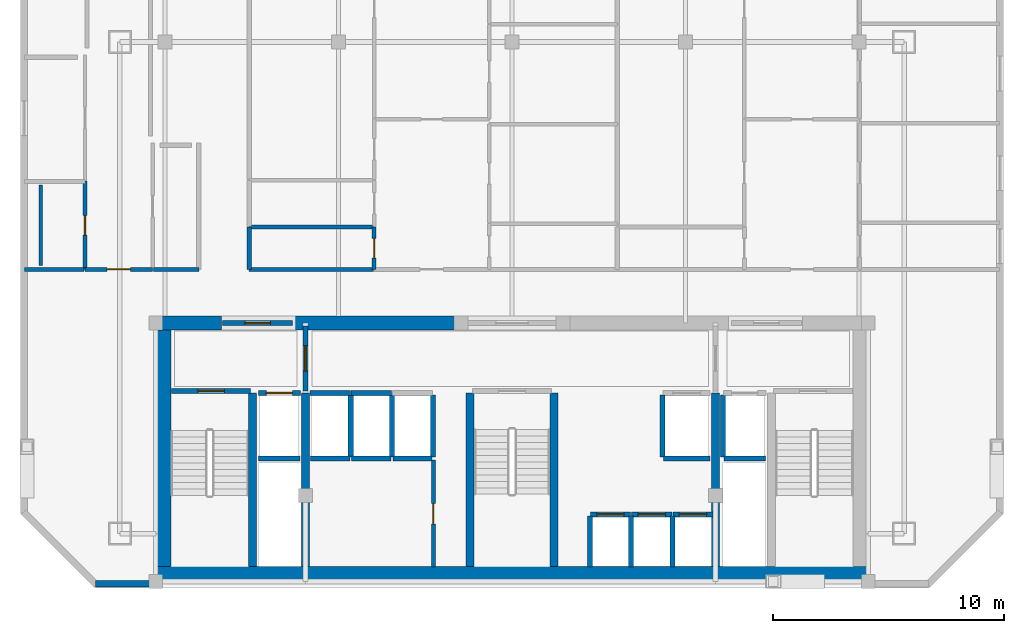
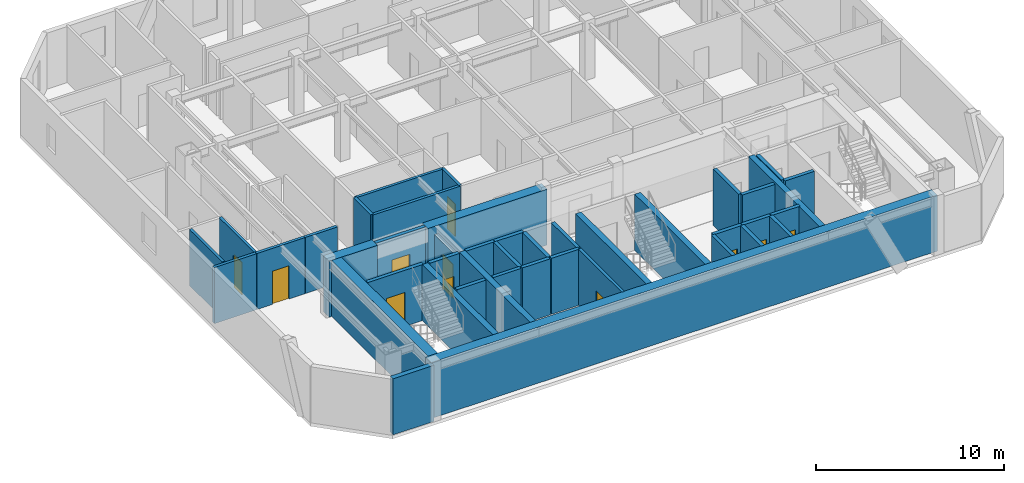
# One storey, part 2 of 7: 43 walls, 11 doors, 11 openings.
"""IFC4 building model written with IfcOpenShell, lengths in metres."""

from ifc_helpers import new_model, si_unit, direction, frame, frame_2d, origin, place, context, subcontext, project, spatial, rectangle, extrude, material, layer, layer_set, type_object, element, fill, save


model = new_model("IFC4")

# Units and contexts
model_context = context("Model", 3, precision=1e-05, world=origin(), true_north=direction((0.0, 1.0)))
body_context = subcontext(model_context, "Body", "Model", "MODEL_VIEW")
ifc_project = project(units=[si_unit("LENGTHUNIT", "METRE"), si_unit("AREAUNIT", "SQUARE_METRE"), si_unit("VOLUMEUNIT", "CUBIC_METRE"), si_unit("PLANEANGLEUNIT", "RADIAN"), si_unit("MASSUNIT", "GRAM", prefix="KILO")], contexts=[model_context])

# Site, building, storey
site_placement = place(None, origin())
site = spatial("IfcSite", under=ifc_project, at=site_placement, CompositionType="ELEMENT")
building_placement = place(site_placement, origin())
building = spatial("IfcBuilding", under=site, at=building_placement, Name="Ventersveld Concourse Tower", CompositionType="ELEMENT")
storey_placement = place(building_placement, frame((0.0, 0.0, 223.39990234375)))
storey = spatial("IfcBuildingStorey", under=building, at=storey_placement, Name="L55", CompositionType="ELEMENT", Elevation=223.39990234375)

# Walls
ifc_material_1 = material(Name="Concrete C50/60", Category="concrete")
ifc_layer_1 = layer(ifc_material_1, 0.35009765625)
ifc_layer_set_1 = layer_set([ifc_layer_1], Name="Concrete C50/60")
wall_type_1 = type_object("IfcWallType", Name="WL-CORE-350U", PredefinedType="SHEAR", material=ifc_layer_set_1)
for number, where, z_axis, x_axis, name in (
    (1, (17.5400390625, 0.919921875, 0.0), (0.0, 0.0, 1.0), (0.0, 1.0, 0.0), "L55 Core Internal Shear Web W-ST1-E"),
    (2, (19.820068359375, 0.919921875, 0.0), (0.0, 0.0, 1.0), (0.0, 1.0, 0.0), "L55 Core Internal Shear Web W-FF1-E"),
    (3, (26.93994140625, 0.919921875, 0.0), (0.0, 0.0, 1.0), (0.0, 1.0, 0.0), "L55 Core Internal Shear Web W-ST3-W"),
    (4, (30.56005859375, 0.919921875, 0.0), (0.0, 0.0, 1.0), (0.0, 1.0, 0.0), "L55 Core Internal Shear Web W-ST3-E"),
    (5, (37.550048828125, 0.919921875, 0.0), (0.0, 0.0, 1.0), (0.0, 1.0, 0.0), "L55 Core Internal Shear Web W-SVL-W"),
):
    element("IfcWall", number, at=place(storey_placement, frame(where, z_axis=z_axis, x_axis=x_axis)), inside=storey, type_object=wall_type_1, Name=name, PredefinedType="SHEAR", context=body_context, shape_type="SweptSolid", body=[
        extrude(rectangle(XDim=7.5, YDim=0.35009765625, at=frame_2d((3.75, 0.0))), origin(), (0.0, 0.0, 1.0), 3.630126953125),
    ])
ifc_layer_2 = layer(ifc_material_1, 0.60009765625)
ifc_layer_set_2 = layer_set([ifc_layer_2], Name="Concrete C50/60")
wall_type_2 = type_object("IfcWallType", Name="WL-CORE-600", PredefinedType="SHEAR", material=ifc_layer_set_2)
wall_1_placement = place(storey_placement, frame((13.25, 0.6201171875, 0.0), z_axis=(0.0, 0.0, 1.0), x_axis=(1.0, 0.0, 0.0)))
element("IfcWall", 6, at=wall_1_placement, inside=storey, type_object=wall_type_2, Name="L55 Rear Core South Shear Wall", PredefinedType="SHEAR", context=body_context, shape_type="SweptSolid", body=[
    extrude(rectangle(XDim=31.0, YDim=0.60009765625, at=frame_2d((15.5, 0.0))), origin(), (0.0, 0.0, 1.0), 3.630126953125),
])
wall_2_placement = place(storey_placement, frame((13.699951171875, 0.919921875, 0.0), z_axis=(0.0, 0.0, 1.0), x_axis=(0.0, 1.0, 0.0)))
element("IfcWall", 7, at=wall_2_placement, inside=storey, type_object=wall_type_2, Name="L55 Rear Core West Shear Wall", PredefinedType="SHEAR", context=body_context, shape_type="SweptSolid", body=[
    extrude(rectangle(XDim=10.530029296875, YDim=0.60009765625, at=frame_2d((5.26513671875, 0.0))), origin(), (0.0, 0.0, 1.0), 3.630126953125),
])
wall_3_placement = place(storey_placement, frame((13.25, 11.449951171875, 0.0), z_axis=(0.0, 0.0, 1.0), x_axis=(1.0, 0.0, 0.0)))
element("IfcWall", 8, at=wall_3_placement, inside=storey, type_object=wall_type_2, Name="L55 Rear Core North Shear Wall NW", PredefinedType="SHEAR", context=body_context, shape_type="SweptSolid", body=[
    extrude(rectangle(XDim=2.949951171875, YDim=0.60009765625, at=frame_2d((1.47509765625, 0.0))), origin(), (0.0, 0.0, 1.0), 3.630126953125),
])
wall_4_placement = place(storey_placement, frame((19.300048828125, 11.449951171875, 0.0), z_axis=(0.0, 0.0, 1.0), x_axis=(1.0, 0.0, 0.0)))
element("IfcWall", 9, at=wall_4_placement, inside=storey, type_object=wall_type_2, Name="L55 Rear Core North Shear Wall NML", PredefinedType="SHEAR", context=body_context, shape_type="SweptSolid", body=[
    extrude(rectangle(XDim=7.300048828125, YDim=0.60009765625, at=frame_2d((3.64990234375, 0.0))), origin(), (0.0, 0.0, 1.0), 3.630126953125),
])

# Wall, opening, door
ifc_material_2 = material(Name="Fire-rated autoclaved aerated masonry blockwork", Category="masonry")
ifc_layer_3 = layer(ifc_material_2, 0.179931640625)
ifc_layer_set_3 = layer_set([ifc_layer_3], Name="Fire-rated autoclaved aerated masonry blockwork")
wall_type_3 = type_object("IfcWallType", Name="WL-CORR-180", PredefinedType="PARTITIONING", material=ifc_layer_set_3)
wall_5_placement = place(storey_placement, frame((25.35009765625, 0.89990234375, 0.0), z_axis=(0.0, 0.0, 1.0), x_axis=(0.0, 1.0, 0.0)))
wall_5 = element("IfcWall", 10, at=wall_5_placement, inside=storey, type_object=wall_type_3, Name="L55 Core Passage Wall SP-L55-RECB1A", PredefinedType="PARTITIONING", context=body_context, shape_type="SweptSolid", body=[
    extrude(rectangle(XDim=4.6201171875, YDim=0.179931640625, at=frame_2d((2.31005859375, 0.0))), origin(), (0.0, 0.0, 1.0), 3.630126953125),
])
opening_1_placement = place(wall_5_placement, frame((1.8701171875, 0.0, 0.0)))
opening_1 = element("IfcOpeningElement", 11, at=opening_1_placement, cuts=wall_5, Name="Opening FD5", PredefinedType="OPENING", context=body_context, shape_type="SweptSolid", body=[
    extrude(rectangle(XDim=0.8798828125, YDim=2.050048828125, at=frame_2d((0.43994140625, 1.02490234375))), frame((0.0, 0.10009765625, 0.0), z_axis=(0.0, -1.0, 0.0), x_axis=(1.0, 0.0, 0.0)), (0.0, 0.0, 1.0), 0.199951171875),
])
ifc_material_3 = material(Name="Galvanised painted steel", Category="steel")
door_type_1 = type_object("IfcDoorType", Name="DR-RISER-088", OperationType="NOTDEFINED", PredefinedType="DOOR", material=ifc_material_3)
door_1_placement = place(opening_1_placement, origin())
door_1 = element("IfcDoor", 12, at=door_1_placement, inside=storey, type_object=door_type_1, Name="L55 Core Room Door L55 Reclaimed Core Meeting Pod (CD-L55-2662)", OperationType="SINGLE_SWING_LEFT", OverallHeight=2.050048828125, OverallWidth=0.8798828125, PredefinedType="DOOR", context=body_context, shape_type="SweptSolid", body=[
    extrude(rectangle(XDim=0.8798828125, YDim=2.050048828125, at=frame_2d((0.43994140625, 1.02490234375))), frame((0.0, 0.02490234375, 0.0), z_axis=(0.0, -1.0, 0.0), x_axis=(1.0, 0.0, 0.0)), (0.0, 0.0, 1.0), 0.050048828125),
])
fill(opening_1, door_1)

wall_6_placement = place(storey_placement, frame((10.284912109375, 13.77001953125, 0.0), z_axis=(0.0, 0.0, 1.0), x_axis=(1.0, 0.0, 0.0)))
wall_6 = element("IfcWall", 13, at=wall_6_placement, inside=storey, type_object=wall_type_3, Name="L55 Interior Partition SP-L55-COR-SP-L55-55NW-LIV", PredefinedType="PARTITIONING", context=body_context, shape_type="SweptSolid", body=[
    extrude(rectangle(XDim=2.93017578125, YDim=0.179931640625, at=frame_2d((1.465087890625, 0.0))), origin(), (0.0, 0.0, 1.0), 3.630126953125),
])
opening_2_placement = place(wall_6_placement, frame((0.965087890625, 0.0, 0.0)))
opening_2 = element("IfcOpeningElement", 14, at=opening_2_placement, cuts=wall_6, Name="Opening FD3", PredefinedType="OPENING", context=body_context, shape_type="SweptSolid", body=[
    extrude(rectangle(XDim=1.0, YDim=2.14990234375, at=frame_2d((0.5, 1.074951171875))), frame((0.0, 0.10009765625, 0.0), z_axis=(0.0, -1.0, 0.0), x_axis=(1.0, 0.0, 0.0)), (0.0, 0.0, 1.0), 0.199951171875),
])
ifc_material_4 = material(Name="Solid-core hardwood veneer timber", Category="wood")
door_type_2 = type_object("IfcDoorType", Name="DR-FLAT-100", OperationType="NOTDEFINED", PredefinedType="DOOR", material=ifc_material_4)
door_2_placement = place(opening_2_placement, origin())
door_2 = element("IfcDoor", 15, at=door_2_placement, inside=storey, type_object=door_type_2, Name="L55 Interior Door SP-L55-COR to SP-L55-55NW-LIV (FD-L55-2663)", OperationType="SINGLE_SWING_LEFT", OverallHeight=2.14990234375, OverallWidth=1.0, PredefinedType="DOOR", context=body_context, shape_type="SweptSolid", body=[
    extrude(rectangle(XDim=1.0, YDim=2.14990234375, at=frame_2d((0.5, 1.074951171875))), frame((0.0, 0.02490234375, 0.0), z_axis=(0.0, -1.0, 0.0), x_axis=(1.0, 0.0, 0.0)), (0.0, 0.0, 1.0), 0.050048828125),
])
fill(opening_2, door_2)

# Walls
wall_7_placement = place(storey_placement, frame((7.672607421875, 13.77001953125, 0.0), z_axis=(0.0, 0.0, 1.0), x_axis=(1.0, 0.0, 0.0)))
element("IfcWall", 16, at=wall_7_placement, inside=storey, type_object=wall_type_3, Name="L55 Interior Partition SP-L55-COR-SP-L55-55NW-BATH", PredefinedType="PARTITIONING", context=body_context, shape_type="SweptSolid", body=[
    extrude(rectangle(XDim=2.582275390625, YDim=0.179931640625, at=frame_2d((1.291015625, 0.0))), origin(), (0.0, 0.0, 1.0), 3.630126953125),
])
wall_8_placement = place(storey_placement, frame((13.2451171875, 13.77001953125, 0.0), z_axis=(0.0, 0.0, 1.0), x_axis=(1.0, 0.0, 0.0)))
element("IfcWall", 17, at=wall_8_placement, inside=storey, type_object=wall_type_3, Name="L55 Interior Partition SP-L55-COR-SP-L55-55NW-KIT", PredefinedType="PARTITIONING", context=body_context, shape_type="SweptSolid", body=[
    extrude(rectangle(XDim=1.969970703125, YDim=0.179931640625, at=frame_2d((0.98486328125, 0.0))), origin(), (0.0, 0.0, 1.0), 3.630126953125),
])
wall_9_placement = place(storey_placement, frame((17.385009765625, 13.77001953125, 0.0), z_axis=(0.0, 0.0, 1.0), x_axis=(1.0, 0.0, 0.0)))
element("IfcWall", 18, at=wall_9_placement, inside=storey, type_object=wall_type_3, Name="L55 Interior Partition SP-L55-COR-SP-L55-55N1-BATH", PredefinedType="PARTITIONING", context=body_context, shape_type="SweptSolid", body=[
    extrude(rectangle(XDim=5.36962890625, YDim=0.179931640625, at=frame_2d((2.684814453125, 0.0))), origin(), (0.0, 0.0, 1.0), 3.630126953125),
])
wall_10_placement = place(storey_placement, frame((17.389892578125, 13.764892578125, 0.0), z_axis=(0.0, 0.0, 1.0), x_axis=(0.0, 1.0, 0.0)))
element("IfcWall", 19, at=wall_10_placement, inside=storey, type_object=wall_type_3, Name="L55 Interior Partition SP-L55-COR-SP-L55-55N1-BATH", PredefinedType="PARTITIONING", context=body_context, shape_type="SweptSolid", body=[
    extrude(rectangle(XDim=1.840087890625, YDim=0.179931640625, at=frame_2d((0.919921875, 0.0))), origin(), (0.0, 0.0, 1.0), 3.630126953125),
])
ifc_layer_4 = layer(ifc_material_2, 0.219970703125)
ifc_layer_set_4 = layer_set([ifc_layer_4], Name="Fire-rated autoclaved aerated masonry blockwork")
wall_type_4 = type_object("IfcWallType", Name="WL-HOIST-220", PredefinedType="SOLIDWALL", material=ifc_layer_set_4)
wall_11_placement = place(storey_placement, frame((17.800048828125, 5.590087890625, 0.0), z_axis=(0.0, 0.0, 1.0), x_axis=(1.0, 0.0, 0.0)))
element("IfcWall", 20, at=wall_11_placement, inside=storey, type_object=wall_type_4, Name="L55 Lift Hoistway Back Wall FFL-01", PredefinedType="SOLIDWALL", context=body_context, shape_type="SweptSolid", body=[
    extrude(rectangle(XDim=1.780029296875, YDim=0.219970703125, at=frame_2d((0.89013671875, 0.0))), origin(), (0.0, 0.0, 1.0), 3.630126953125),
])

# Wall, opening, door
wall_12_placement = place(storey_placement, frame((17.780029296875, 8.429931640625, 0.0), z_axis=(0.0, 0.0, 1.0), x_axis=(1.0, 0.0, 0.0)))
wall_12 = element("IfcWall", 21, at=wall_12_placement, inside=storey, type_object=wall_type_4, Name="L55 Lift Hoistway Front Wall FFL-01", PredefinedType="SOLIDWALL", context=body_context, shape_type="SweptSolid", body=[
    extrude(rectangle(XDim=1.820068359375, YDim=0.219970703125, at=frame_2d((0.91015625, 0.0))), origin(), (0.0, 0.0, 1.0), 3.630126953125),
])
opening_3_placement = place(wall_12_placement, frame((0.35009765625, 0.0, 0.0)))
opening_3 = element("IfcOpeningElement", 22, at=opening_3_placement, cuts=wall_12, Name="Opening LD1", PredefinedType="OPENING", context=body_context, shape_type="SweptSolid", body=[
    extrude(rectangle(XDim=1.1201171875, YDim=2.25, at=frame_2d((0.56005859375, 1.125))), frame((0.0, 0.1201171875, 0.0), z_axis=(0.0, -1.0, 0.0), x_axis=(1.0, 0.0, 0.0)), (0.0, 0.0, 1.0), 0.239990234375),
])
ifc_material_5 = material(Name="Brushed stainless steel 316", Category="steel")
door_type_3 = type_object("IfcDoorType", Name="LD-FF-112", OperationType="SLIDING_TO_LEFT", PredefinedType="DOOR", material=ifc_material_5)
door_3_placement = place(opening_3_placement, origin())
door_3 = element("IfcDoor", 23, at=door_3_placement, inside=storey, type_object=door_type_3, Name="L55 Lift landing door FFL-01 (LD-L55-FFL-01)", OperationType="SLIDING_TO_LEFT", OverallHeight=2.25, OverallWidth=1.1201171875, PredefinedType="DOOR", context=body_context, shape_type="SweptSolid", body=[
    extrude(rectangle(XDim=1.1201171875, YDim=2.25, at=frame_2d((0.56005859375, 1.125))), frame((0.0, 0.02490234375, 0.0), z_axis=(0.0, -1.0, 0.0), x_axis=(1.0, 0.0, 0.0)), (0.0, 0.0, 1.0), 0.050048828125),
])
fill(opening_3, door_3)

# Walls
wall_13_placement = place(storey_placement, frame((37.919921875, 5.590087890625, 0.0), z_axis=(0.0, 0.0, 1.0), x_axis=(1.0, 0.0, 0.0)))
element("IfcWall", 24, at=wall_13_placement, inside=storey, type_object=wall_type_4, Name="L55 Lift Hoistway Back Wall FFL-02", PredefinedType="SOLIDWALL", context=body_context, shape_type="SweptSolid", body=[
    extrude(rectangle(XDim=1.780029296875, YDim=0.219970703125, at=frame_2d((0.89013671875, 0.0))), origin(), (0.0, 0.0, 1.0), 3.630126953125),
])
wall_14_placement = place(storey_placement, frame((37.8798828125, 5.64990234375, 0.0), z_axis=(0.0, 0.0, 1.0), x_axis=(0.0, 1.0, 0.0)))
element("IfcWall", 25, at=wall_14_placement, inside=storey, type_object=wall_type_4, Name="L55 Lift Hoistway Side Wall FFL-02W", PredefinedType="SOLIDWALL", context=body_context, shape_type="SweptSolid", body=[
    extrude(rectangle(XDim=2.7001953125, YDim=0.219970703125, at=frame_2d((1.35009765625, 0.0))), origin(), (0.0, 0.0, 1.0), 3.630126953125),
])
wall_15_placement = place(storey_placement, frame((35.300048828125, 5.590087890625, 0.0), z_axis=(0.0, 0.0, 1.0), x_axis=(1.0, 0.0, 0.0)))
element("IfcWall", 26, at=wall_15_placement, inside=storey, type_object=wall_type_4, Name="L55 Lift Hoistway Back Wall SVL-01", PredefinedType="SOLIDWALL", context=body_context, shape_type="SweptSolid", body=[
    extrude(rectangle(XDim=2.0, YDim=0.219970703125, at=frame_2d((1.0, 0.0))), origin(), (0.0, 0.0, 1.0), 3.630126953125),
])
wall_16_placement = place(storey_placement, frame((35.260009765625, 5.64990234375, 0.0), z_axis=(0.0, 0.0, 1.0), x_axis=(0.0, 1.0, 0.0)))
element("IfcWall", 27, at=wall_16_placement, inside=storey, type_object=wall_type_4, Name="L55 Lift Hoistway Side Wall SVL-01W", PredefinedType="SOLIDWALL", context=body_context, shape_type="SweptSolid", body=[
    extrude(rectangle(XDim=2.7001953125, YDim=0.219970703125, at=frame_2d((1.35009765625, 0.0))), origin(), (0.0, 0.0, 1.0), 3.630126953125),
])
for number, where, z_axis, x_axis, name in (
    (28, (32.1201171875, 0.89990234375, 0.0), (0.0, 0.0, 1.0), (0.0, 1.0, 0.0), "L55 Lift Hoistway Side Wall PM-01W"),
    (29, (33.89990234375, 0.89990234375, 0.0), (0.0, 0.0, 1.0), (0.0, 1.0, 0.0), "L55 Lift Hoistway Side Wall PM-01E"),
):
    element("IfcWall", number, at=place(storey_placement, frame(where, z_axis=z_axis, x_axis=x_axis)), inside=storey, type_object=wall_type_4, Name=name, PredefinedType="SOLIDWALL", context=body_context, shape_type="SweptSolid", body=[
        extrude(rectangle(XDim=2.2001953125, YDim=0.219970703125, at=frame_2d((1.10009765625, 0.0))), origin(), (0.0, 0.0, 1.0), 3.630126953125),
    ])

# Wall, opening, door
wall_17_placement = place(storey_placement, frame((32.139892578125, 3.179931640625, 0.0), z_axis=(0.0, 0.0, 1.0), x_axis=(1.0, 0.0, 0.0)))
wall_17 = element("IfcWall", 30, at=wall_17_placement, inside=storey, type_object=wall_type_4, Name="L55 Lift Hoistway Front Wall PM-01", PredefinedType="SOLIDWALL", context=body_context, shape_type="SweptSolid", body=[
    extrude(rectangle(XDim=1.739990234375, YDim=0.219970703125, at=frame_2d((0.8701171875, 0.0))), origin(), (0.0, 0.0, 1.0), 3.630126953125),
])
opening_4_placement = place(wall_17_placement, frame((0.280029296875, 0.0, 0.0)))
opening_4 = element("IfcOpeningElement", 31, at=opening_4_placement, cuts=wall_17, Name="Opening LD2", PredefinedType="OPENING", context=body_context, shape_type="SweptSolid", body=[
    extrude(rectangle(XDim=1.179931640625, YDim=2.199951171875, at=frame_2d((0.58984375, 1.10009765625))), frame((0.0, 0.1201171875, 0.0), z_axis=(0.0, -1.0, 0.0), x_axis=(1.0, 0.0, 0.0)), (0.0, 0.0, 1.0), 0.239990234375),
])
door_type_4 = type_object("IfcDoorType", Name="LD-PAX-118", OperationType="SLIDING_TO_LEFT", PredefinedType="DOOR", material=ifc_material_5)
door_4_placement = place(opening_4_placement, origin())
door_4 = element("IfcDoor", 32, at=door_4_placement, inside=storey, type_object=door_type_4, Name="L55 Lift landing door PM-01 (LD-L55-PM-01)", OperationType="SLIDING_TO_RIGHT", OverallHeight=2.199951171875, OverallWidth=1.179931640625, PredefinedType="DOOR", context=body_context, shape_type="SweptSolid", body=[
    extrude(rectangle(XDim=1.179931640625, YDim=2.199951171875, at=frame_2d((0.58984375, 1.10009765625))), frame((0.0, 0.02490234375, 0.0), z_axis=(0.0, -1.0, 0.0), x_axis=(1.0, 0.0, 0.0)), (0.0, 0.0, 1.0), 0.050048828125),
])
fill(opening_4, door_4)

# Wall
wall_18_placement = place(storey_placement, frame((35.679931640625, 0.89990234375, 0.0), z_axis=(0.0, 0.0, 1.0), x_axis=(0.0, 1.0, 0.0)))
element("IfcWall", 33, at=wall_18_placement, inside=storey, type_object=wall_type_4, Name="L55 Lift Hoistway Side Wall PM-02E", PredefinedType="SOLIDWALL", context=body_context, shape_type="SweptSolid", body=[
    extrude(rectangle(XDim=2.2001953125, YDim=0.219970703125, at=frame_2d((1.10009765625, 0.0))), origin(), (0.0, 0.0, 1.0), 3.630126953125),
])

# Wall, opening, door
wall_19_placement = place(storey_placement, frame((33.919921875, 3.179931640625, 0.0), z_axis=(0.0, 0.0, 1.0), x_axis=(1.0, 0.0, 0.0)))
wall_19 = element("IfcWall", 34, at=wall_19_placement, inside=storey, type_object=wall_type_4, Name="L55 Lift Hoistway Front Wall PM-02", PredefinedType="SOLIDWALL", context=body_context, shape_type="SweptSolid", body=[
    extrude(rectangle(XDim=1.739990234375, YDim=0.219970703125, at=frame_2d((0.8701171875, 0.0))), origin(), (0.0, 0.0, 1.0), 3.630126953125),
])
opening_5_placement = place(wall_19_placement, frame((0.280029296875, 0.0, 0.0)))
opening_5 = element("IfcOpeningElement", 35, at=opening_5_placement, cuts=wall_19, Name="Opening LD2", PredefinedType="OPENING", context=body_context, shape_type="SweptSolid", body=[
    extrude(rectangle(XDim=1.179931640625, YDim=2.199951171875, at=frame_2d((0.58984375, 1.10009765625))), frame((0.0, 0.1201171875, 0.0), z_axis=(0.0, -1.0, 0.0), x_axis=(1.0, 0.0, 0.0)), (0.0, 0.0, 1.0), 0.239990234375),
])
door_5_placement = place(opening_5_placement, origin())
door_5 = element("IfcDoor", 36, at=door_5_placement, inside=storey, type_object=door_type_4, Name="L55 Lift landing door PM-02 (LD-L55-PM-02)", OperationType="SLIDING_TO_LEFT", OverallHeight=2.199951171875, OverallWidth=1.179931640625, PredefinedType="DOOR", context=body_context, shape_type="SweptSolid", body=[
    extrude(rectangle(XDim=1.179931640625, YDim=2.199951171875, at=frame_2d((0.58984375, 1.10009765625))), frame((0.0, 0.02490234375, 0.0), z_axis=(0.0, -1.0, 0.0), x_axis=(1.0, 0.0, 0.0)), (0.0, 0.0, 1.0), 0.050048828125),
])
fill(opening_5, door_5)

wall_20_placement = place(storey_placement, frame((35.699951171875, 3.179931640625, 0.0), z_axis=(0.0, 0.0, 1.0), x_axis=(1.0, 0.0, 0.0)))
wall_20 = element("IfcWall", 37, at=wall_20_placement, inside=storey, type_object=wall_type_4, Name="L55 Lift Hoistway Front Wall PM-03", PredefinedType="SOLIDWALL", context=body_context, shape_type="SweptSolid", body=[
    extrude(rectangle(XDim=1.739990234375, YDim=0.219970703125, at=frame_2d((0.8701171875, 0.0))), origin(), (0.0, 0.0, 1.0), 3.630126953125),
])
opening_6_placement = place(wall_20_placement, frame((0.280029296875, 0.0, 0.0)))
opening_6 = element("IfcOpeningElement", 38, at=opening_6_placement, cuts=wall_20, Name="Opening LD2", PredefinedType="OPENING", context=body_context, shape_type="SweptSolid", body=[
    extrude(rectangle(XDim=1.179931640625, YDim=2.199951171875, at=frame_2d((0.58984375, 1.10009765625))), frame((0.0, 0.1201171875, 0.0), z_axis=(0.0, -1.0, 0.0), x_axis=(1.0, 0.0, 0.0)), (0.0, 0.0, 1.0), 0.239990234375),
])
door_6_placement = place(opening_6_placement, origin())
door_6 = element("IfcDoor", 39, at=door_6_placement, inside=storey, type_object=door_type_4, Name="L55 Lift landing door PM-03 (LD-L55-PM-03)", OperationType="SLIDING_TO_RIGHT", OverallHeight=2.199951171875, OverallWidth=1.179931640625, PredefinedType="DOOR", context=body_context, shape_type="SweptSolid", body=[
    extrude(rectangle(XDim=1.179931640625, YDim=2.199951171875, at=frame_2d((0.58984375, 1.10009765625))), frame((0.0, 0.02490234375, 0.0), z_axis=(0.0, -1.0, 0.0), x_axis=(1.0, 0.0, 0.0)), (0.0, 0.0, 1.0), 0.050048828125),
])
fill(opening_6, door_6)

# Walls
wall_21_placement = place(storey_placement, frame((20.0400390625, 5.590087890625, 0.0), z_axis=(0.0, 0.0, 1.0), x_axis=(1.0, 0.0, 0.0)))
element("IfcWall", 40, at=wall_21_placement, inside=storey, type_object=wall_type_4, Name="L55 Lift Hoistway Back Wall PH-01", PredefinedType="SOLIDWALL", context=body_context, shape_type="SweptSolid", body=[
    extrude(rectangle(XDim=1.699951171875, YDim=0.219970703125, at=frame_2d((0.85009765625, 0.0))), origin(), (0.0, 0.0, 1.0), 3.630126953125),
])
wall_22_placement = place(storey_placement, frame((21.780029296875, 5.64990234375, 0.0), z_axis=(0.0, 0.0, 1.0), x_axis=(0.0, 1.0, 0.0)))
element("IfcWall", 41, at=wall_22_placement, inside=storey, type_object=wall_type_4, Name="L55 Lift Hoistway Side Wall PH-01E", PredefinedType="SOLIDWALL", context=body_context, shape_type="SweptSolid", body=[
    extrude(rectangle(XDim=2.7001953125, YDim=0.219970703125, at=frame_2d((1.35009765625, 0.0))), origin(), (0.0, 0.0, 1.0), 3.630126953125),
])
wall_23_placement = place(storey_placement, frame((20.02001953125, 8.429931640625, 0.0), z_axis=(0.0, 0.0, 1.0), x_axis=(1.0, 0.0, 0.0)))
element("IfcWall", 42, at=wall_23_placement, inside=storey, type_object=wall_type_4, Name="L55 Lift Hoistway Front Wall PH-01", PredefinedType="SOLIDWALL", context=body_context, shape_type="SweptSolid", body=[
    extrude(rectangle(XDim=1.739990234375, YDim=0.219970703125, at=frame_2d((0.8701171875, 0.0))), origin(), (0.0, 0.0, 1.0), 3.630126953125),
])
wall_24_placement = place(storey_placement, frame((21.820068359375, 5.590087890625, 0.0), z_axis=(0.0, 0.0, 1.0), x_axis=(1.0, 0.0, 0.0)))
element("IfcWall", 43, at=wall_24_placement, inside=storey, type_object=wall_type_4, Name="L55 Lift Hoistway Back Wall PH-02", PredefinedType="SOLIDWALL", context=body_context, shape_type="SweptSolid", body=[
    extrude(rectangle(XDim=1.699951171875, YDim=0.219970703125, at=frame_2d((0.85009765625, 0.0))), origin(), (0.0, 0.0, 1.0), 3.630126953125),
])
wall_25_placement = place(storey_placement, frame((23.56005859375, 5.64990234375, 0.0), z_axis=(0.0, 0.0, 1.0), x_axis=(0.0, 1.0, 0.0)))
element("IfcWall", 44, at=wall_25_placement, inside=storey, type_object=wall_type_4, Name="L55 Lift Hoistway Side Wall PH-02E", PredefinedType="SOLIDWALL", context=body_context, shape_type="SweptSolid", body=[
    extrude(rectangle(XDim=2.7001953125, YDim=0.219970703125, at=frame_2d((1.35009765625, 0.0))), origin(), (0.0, 0.0, 1.0), 3.630126953125),
])
wall_26_placement = place(storey_placement, frame((21.800048828125, 8.429931640625, 0.0), z_axis=(0.0, 0.0, 1.0), x_axis=(1.0, 0.0, 0.0)))
element("IfcWall", 45, at=wall_26_placement, inside=storey, type_object=wall_type_4, Name="L55 Lift Hoistway Front Wall PH-02", PredefinedType="SOLIDWALL", context=body_context, shape_type="SweptSolid", body=[
    extrude(rectangle(XDim=1.739990234375, YDim=0.219970703125, at=frame_2d((0.8701171875, 0.0))), origin(), (0.0, 0.0, 1.0), 3.630126953125),
])
wall_27_placement = place(storey_placement, frame((23.60009765625, 5.590087890625, 0.0), z_axis=(0.0, 0.0, 1.0), x_axis=(1.0, 0.0, 0.0)))
element("IfcWall", 46, at=wall_27_placement, inside=storey, type_object=wall_type_4, Name="L55 Lift Hoistway Back Wall PH-03", PredefinedType="SOLIDWALL", context=body_context, shape_type="SweptSolid", body=[
    extrude(rectangle(XDim=1.699951171875, YDim=0.219970703125, at=frame_2d((0.85009765625, 0.0))), origin(), (0.0, 0.0, 1.0), 3.630126953125),
])
wall_28_placement = place(storey_placement, frame((25.340087890625, 5.64990234375, 0.0), z_axis=(0.0, 0.0, 1.0), x_axis=(0.0, 1.0, 0.0)))
element("IfcWall", 47, at=wall_28_placement, inside=storey, type_object=wall_type_4, Name="L55 Lift Hoistway Side Wall PH-03E", PredefinedType="SOLIDWALL", context=body_context, shape_type="SweptSolid", body=[
    extrude(rectangle(XDim=2.7001953125, YDim=0.219970703125, at=frame_2d((1.35009765625, 0.0))), origin(), (0.0, 0.0, 1.0), 3.630126953125),
])

# Wall, opening, door
wall_29_placement = place(storey_placement, frame((14.0400390625, 8.52001953125, 0.0), z_axis=(0.0, 0.0, 1.0), x_axis=(1.0, 0.0, 0.0)))
wall_29 = element("IfcWall", 48, at=wall_29_placement, inside=storey, type_object=wall_type_4, Name="L55 Escape Stair ST01 Fire Wall", PredefinedType="SOLIDWALL", context=body_context, shape_type="SweptSolid", body=[
    extrude(rectangle(XDim=3.39990234375, YDim=0.219970703125, at=frame_2d((1.699951171875, 0.0))), origin(), (0.0, 0.0, 1.0), 3.630126953125),
])
opening_7_placement = place(wall_29_placement, frame((1.125, 0.0, 0.0)))
opening_7 = element("IfcOpeningElement", 49, at=opening_7_placement, cuts=wall_29, Name="Opening FD1", PredefinedType="OPENING", context=body_context, shape_type="SweptSolid", body=[
    extrude(rectangle(XDim=1.14990234375, YDim=2.199951171875, at=frame_2d((0.574951171875, 1.10009765625))), frame((0.0, 0.1201171875, 0.0), z_axis=(0.0, -1.0, 0.0), x_axis=(1.0, 0.0, 0.0)), (0.0, 0.0, 1.0), 0.239990234375),
])
door_type_5 = type_object("IfcDoorType", Name="DR-STAIR-115", OperationType="NOTDEFINED", PredefinedType="DOOR", material=ifc_material_3)
door_7_placement = place(opening_7_placement, origin())
door_7 = element("IfcDoor", 50, at=door_7_placement, inside=storey, type_object=door_type_5, Name="L55 Escape Stair Door ST01 (SD-L55-2654)", OperationType="SINGLE_SWING_LEFT", OverallHeight=2.199951171875, OverallWidth=1.14990234375, PredefinedType="DOOR", context=body_context, shape_type="SweptSolid", body=[
    extrude(rectangle(XDim=1.14990234375, YDim=2.199951171875, at=frame_2d((0.574951171875, 1.10009765625))), frame((0.0, 0.02490234375, 0.0), z_axis=(0.0, -1.0, 0.0), x_axis=(1.0, 0.0, 0.0)), (0.0, 0.0, 1.0), 0.050048828125),
])
fill(opening_7, door_7)

wall_30_placement = place(storey_placement, frame((19.820068359375, 8.52001953125, 0.0), z_axis=(0.0, 0.0, 1.0), x_axis=(0.0, 1.0, 0.0)))
wall_30 = element("IfcWall", 51, at=wall_30_placement, inside=storey, type_object=wall_type_4, Name="L55 Firefighting Lobby Smoke-Stop Wall FFLW-SEP", PredefinedType="SOLIDWALL", context=body_context, shape_type="SweptSolid", body=[
    extrude(rectangle(XDim=2.800048828125, YDim=0.219970703125, at=frame_2d((1.39990234375, 0.0))), origin(), (0.0, 0.0, 1.0), 3.085693359375),
])
opening_8_placement = place(wall_30_placement, frame((0.85009765625, 0.0, 0.0)))
opening_8 = element("IfcOpeningElement", 52, at=opening_8_placement, cuts=wall_30, Name="Opening FD2", PredefinedType="OPENING", context=body_context, shape_type="SweptSolid", body=[
    extrude(rectangle(XDim=1.10009765625, YDim=2.199951171875, at=frame_2d((0.550048828125, 1.10009765625))), frame((0.0, 0.1201171875, 0.0), z_axis=(0.0, -1.0, 0.0), x_axis=(1.0, 0.0, 0.0)), (0.0, 0.0, 1.0), 0.239990234375),
])
door_type_6 = type_object("IfcDoorType", Name="DR-FFL-110", OperationType="NOTDEFINED", PredefinedType="DOOR", material=ifc_material_3)
door_8_placement = place(opening_8_placement, origin())
door_8 = element("IfcDoor", 53, at=door_8_placement, inside=storey, type_object=door_type_6, Name="L55 Firefighting Lobby Door FFLW-SEP (FD-L55-2657)", OperationType="SINGLE_SWING_LEFT", OverallHeight=2.199951171875, OverallWidth=1.10009765625, PredefinedType="DOOR", context=body_context, shape_type="SweptSolid", body=[
    extrude(rectangle(XDim=1.10009765625, YDim=2.199951171875, at=frame_2d((0.550048828125, 1.10009765625))), frame((0.0, 0.02490234375, 0.0), z_axis=(0.0, -1.0, 0.0), x_axis=(1.0, 0.0, 0.0)), (0.0, 0.0, 1.0), 0.050048828125),
])
fill(opening_8, door_8)

wall_31_placement = place(storey_placement, frame((16.22998046875, 11.449951171875, 0.0), z_axis=(0.0, 0.0, 1.0), x_axis=(1.0, 0.0, 0.0)))
wall_31 = element("IfcWall", 54, at=wall_31_placement, inside=storey, type_object=wall_type_4, Name="L55 Core North Fire Portal FFLW-OUT", PredefinedType="SOLIDWALL", context=body_context, shape_type="SweptSolid", body=[
    extrude(rectangle(XDim=3.0400390625, YDim=0.219970703125, at=frame_2d((1.52001953125, 0.0))), origin(), (0.0, 0.0, 1.0), 3.630126953125),
])
opening_9_placement = place(wall_31_placement, frame((0.969970703125, 0.0, 0.0)))
opening_9 = element("IfcOpeningElement", 55, at=opening_9_placement, cuts=wall_31, Name="Opening FD2", PredefinedType="OPENING", context=body_context, shape_type="SweptSolid", body=[
    extrude(rectangle(XDim=1.10009765625, YDim=2.199951171875, at=frame_2d((0.550048828125, 1.10009765625))), frame((0.0, 0.1201171875, 0.0), z_axis=(0.0, -1.0, 0.0), x_axis=(1.0, 0.0, 0.0)), (0.0, 0.0, 1.0), 0.239990234375),
])
door_9_placement = place(opening_9_placement, origin())
door_9 = element("IfcDoor", 56, at=door_9_placement, inside=storey, type_object=door_type_6, Name="L55 Core Lobby Fire Door FFLW-OUT (FD-L55-2659)", OperationType="SINGLE_SWING_RIGHT", OverallHeight=2.199951171875, OverallWidth=1.10009765625, PredefinedType="DOOR", context=body_context, shape_type="SweptSolid", body=[
    extrude(rectangle(XDim=1.10009765625, YDim=2.199951171875, at=frame_2d((0.550048828125, 1.10009765625))), frame((0.0, 0.02490234375, 0.0), z_axis=(0.0, -1.0, 0.0), x_axis=(1.0, 0.0, 0.0)), (0.0, 0.0, 1.0), 0.050048828125),
])
fill(opening_9, door_9)

# Wall
ifc_material_6 = material(Name="Precast concrete C45/55", Category="concrete")
ifc_layer_5 = layer(ifc_material_6, 0.300048828125)
ifc_layer_set_5 = layer_set([ifc_layer_5], Name="Precast concrete C45/55")
wall_type_5 = type_object("IfcWallType", Name="WL-PREC-300", PredefinedType="SOLIDWALL", material=ifc_layer_set_5)
wall_32_placement = place(storey_placement, frame((10.739990234375, 0.179931640625, 0.0), z_axis=(0.0, 0.0, 1.0), x_axis=(1.0, 0.0, 0.0)))
element("IfcWall", 57, at=wall_32_placement, inside=storey, type_object=wall_type_5, Name="L55 South-West Flank Precast Wall", PredefinedType="SOLIDWALL", context=body_context, shape_type="SweptSolid", body=[
    extrude(rectangle(XDim=2.510009765625, YDim=0.300048828125, at=frame_2d((1.2548828125, 0.0))), origin(), (0.0, 0.0, 1.0), 3.630126953125),
])

# Wall, opening, door
ifc_material_7 = material(Name="Autoclaved aerated masonry blockwork", Category="masonry")
ifc_layer_6 = layer(ifc_material_7, 0.1650390625)
ifc_layer_set_6 = layer_set([ifc_layer_6], Name="Autoclaved aerated masonry blockwork")
wall_type_6 = type_object("IfcWallType", Name="WL-WET-165", PredefinedType="PLUMBINGWALL", material=ifc_layer_set_6)
wall_33_placement = place(storey_placement, frame((10.289794921875, 13.764892578125, 0.0), z_axis=(0.0, 0.0, 1.0), x_axis=(0.0, 1.0, 0.0)))
wall_33 = element("IfcWall", 58, at=wall_33_placement, inside=storey, type_object=wall_type_6, Name="L55 Interior Partition SP-L55-55NW-LIV-SP-L55-55NW-BATH", PredefinedType="PLUMBINGWALL", context=body_context, shape_type="SweptSolid", body=[
    extrude(rectangle(XDim=3.81689453125, YDim=0.1650390625, at=frame_2d((1.908447265625, 0.0))), origin(), (0.0, 0.0, 1.0), 3.630126953125),
])
opening_10_placement = place(wall_33_placement, frame((1.4833984375, 0.0, 0.0)))
opening_10 = element("IfcOpeningElement", 59, at=opening_10_placement, cuts=wall_33, Name="Opening ID2", PredefinedType="OPENING", context=body_context, shape_type="SweptSolid", body=[
    extrude(rectangle(XDim=0.85009765625, YDim=2.10009765625, at=frame_2d((0.425048828125, 1.050048828125))), frame((0.0, 0.092529296875, 0.0), z_axis=(0.0, -1.0, 0.0), x_axis=(1.0, 0.0, 0.0)), (0.0, 0.0, 1.0), 0.18505859375),
])
door_type_7 = type_object("IfcDoorType", Name="DR-BATH-085", OperationType="NOTDEFINED", PredefinedType="DOOR", material=ifc_material_4)
door_10_placement = place(opening_10_placement, origin())
door_10 = element("IfcDoor", 60, at=door_10_placement, inside=storey, type_object=door_type_7, Name="L55 Interior Door SP-L55-55NW-LIV to SP-L55-55NW-BATH (D-L55-2666)", OperationType="SINGLE_SWING_RIGHT", OverallHeight=2.10009765625, OverallWidth=0.85009765625, PredefinedType="DOOR", context=body_context, shape_type="SweptSolid", body=[
    extrude(rectangle(XDim=0.85009765625, YDim=2.10009765625, at=frame_2d((0.425048828125, 1.050048828125))), frame((0.0, 0.02490234375, 0.0), z_axis=(0.0, -1.0, 0.0), x_axis=(1.0, 0.0, 0.0)), (0.0, 0.0, 1.0), 0.050048828125),
])
fill(opening_10, door_10)

wall_34_placement = place(storey_placement, frame((22.78955078125, 13.764892578125, 0.0), z_axis=(0.0, 0.0, 1.0), x_axis=(0.0, 1.0, 0.0)))
wall_34 = element("IfcWall", 61, at=wall_34_placement, inside=storey, type_object=wall_type_6, Name="L55 Interior Partition SP-L55-55N1-FOY-SP-L55-55N1-BATH", PredefinedType="PLUMBINGWALL", context=body_context, shape_type="SweptSolid", body=[
    extrude(rectangle(XDim=1.840087890625, YDim=0.1650390625, at=frame_2d((0.919921875, 0.0))), origin(), (0.0, 0.0, 1.0), 3.630126953125),
])
opening_11_placement = place(wall_34_placement, frame((0.4951171875, 0.0, 0.0)))
opening_11 = element("IfcOpeningElement", 62, at=opening_11_placement, cuts=wall_34, Name="Opening ID2", PredefinedType="OPENING", context=body_context, shape_type="SweptSolid", body=[
    extrude(rectangle(XDim=0.85009765625, YDim=2.10009765625, at=frame_2d((0.425048828125, 1.050048828125))), frame((0.0, 0.092529296875, 0.0), z_axis=(0.0, -1.0, 0.0), x_axis=(1.0, 0.0, 0.0)), (0.0, 0.0, 1.0), 0.18505859375),
])
door_11_placement = place(opening_11_placement, origin())
door_11 = element("IfcDoor", 63, at=door_11_placement, inside=storey, type_object=door_type_7, Name="L55 Interior Door SP-L55-55N1-FOY to SP-L55-55N1-BATH (D-L55-2672)", OperationType="SINGLE_SWING_RIGHT", OverallHeight=2.10009765625, OverallWidth=0.85009765625, PredefinedType="DOOR", context=body_context, shape_type="SweptSolid", body=[
    extrude(rectangle(XDim=0.85009765625, YDim=2.10009765625, at=frame_2d((0.425048828125, 1.050048828125))), frame((0.0, 0.02490234375, 0.0), z_axis=(0.0, -1.0, 0.0), x_axis=(1.0, 0.0, 0.0)), (0.0, 0.0, 1.0), 0.050048828125),
])
fill(opening_11, door_11)

# Walls
wall_35_placement = place(storey_placement, frame((17.385009765625, 15.60009765625, 0.0), z_axis=(0.0, 0.0, 1.0), x_axis=(1.0, 0.0, 0.0)))
element("IfcWall", 64, at=wall_35_placement, inside=storey, type_object=wall_type_6, Name="L55 Interior Partition SP-L55-55N1-BATH-SP-L55-55N1-PANL0", PredefinedType="PLUMBINGWALL", context=body_context, shape_type="SweptSolid", body=[
    extrude(rectangle(XDim=5.40966796875, YDim=0.1650390625, at=frame_2d((2.704833984375, 0.0))), origin(), (0.0, 0.0, 1.0), 3.630126953125),
])
wall_36_placement = place(storey_placement, frame((8.3798828125, 13.93505859375, 0.0), z_axis=(0.0, 0.0, 1.0), x_axis=(0.0, 1.0, 0.0)))
element("IfcWall", 65, at=wall_36_placement, inside=storey, type_object=wall_type_6, Name="L55 Room Enclosure Wall SP-L55-55NW-BATH", PredefinedType="PLUMBINGWALL", context=body_context, shape_type="SweptSolid", body=[
    extrude(rectangle(XDim=3.476806640625, YDim=0.1650390625, at=frame_2d((1.73828125, 0.0))), origin(), (0.0, 0.0, 1.0), 3.630126953125),
])

save(model, "model.ifc")
